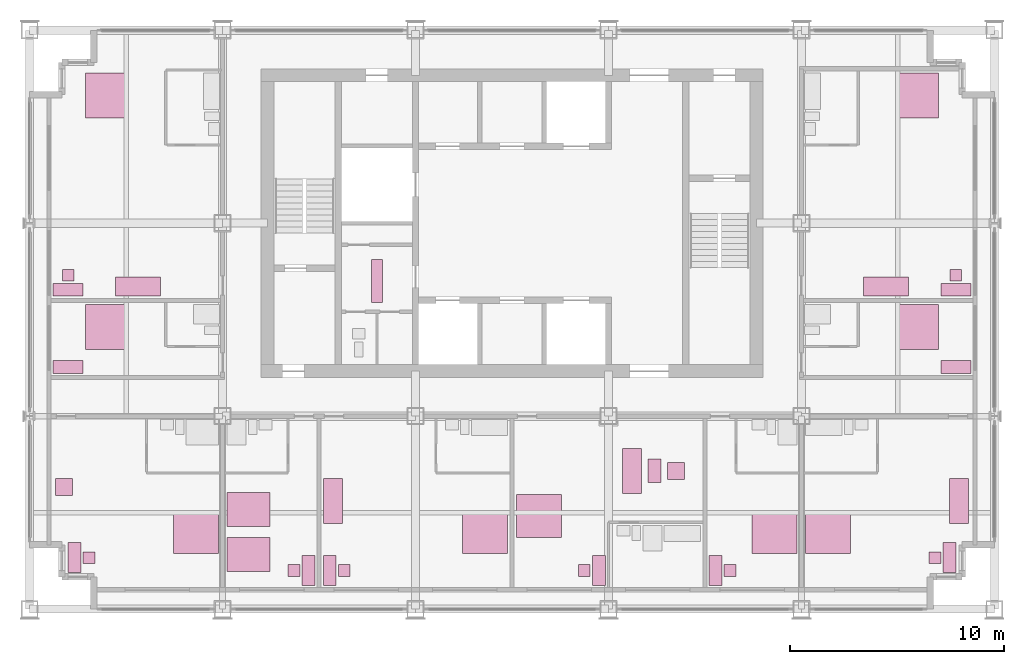
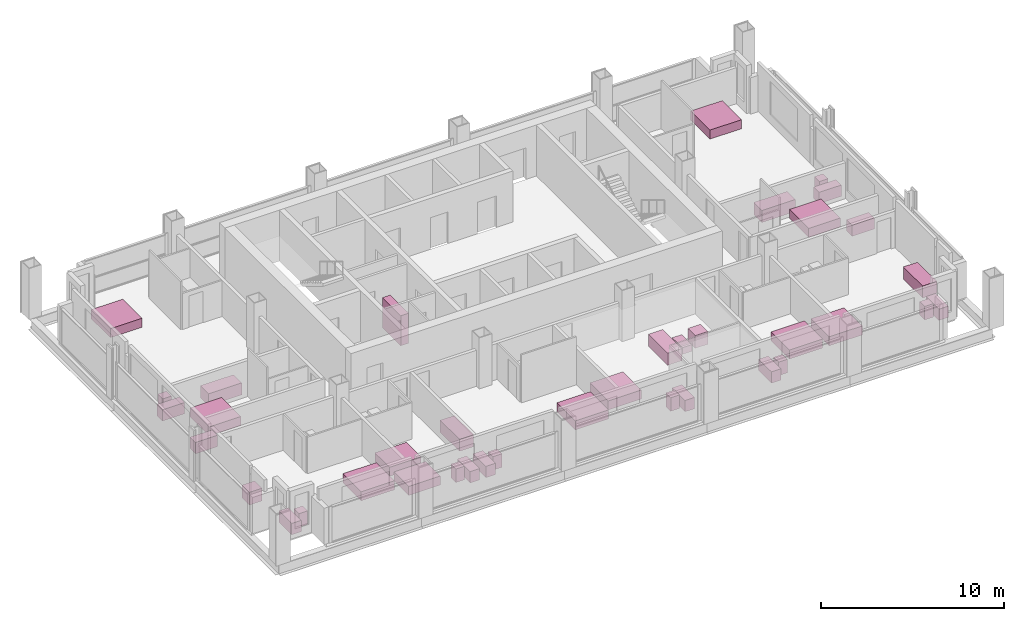
# One storey, part 13 of 13: 38 furniture elements.
"""IFC4 building model written with IfcOpenShell, lengths in metres."""

from ifc_helpers import new_model, si_unit, direction, frame, origin, origin_2d, place, context, subcontext, project, spatial, rectangle, extrude, element, save


model = new_model("IFC4")

# Units and contexts
model_context = context("Model", 3, precision=1e-05, world=origin(), true_north=direction((0.0, 1.0)))
body_context = subcontext(model_context, "Body", "Model", "MODEL_VIEW")
ifc_project = project(units=[si_unit("LENGTHUNIT", "METRE"), si_unit("AREAUNIT", "SQUARE_METRE"), si_unit("VOLUMEUNIT", "CUBIC_METRE"), si_unit("PLANEANGLEUNIT", "RADIAN"), si_unit("MASSUNIT", "GRAM", prefix="KILO")], contexts=[model_context])

# Site, building, storey
site_placement = place(None, origin())
site = spatial("IfcSite", under=ifc_project, at=site_placement, CompositionType="ELEMENT")
building_placement = place(site_placement, origin())
building = spatial("IfcBuilding", under=site, at=building_placement, Name="Loomwork Tower", CompositionType="ELEMENT")
storey_placement = place(building_placement, frame((0.0, 0.0, 204.60009765625)))
storey = spatial("IfcBuildingStorey", under=building, at=storey_placement, Name="L56", CompositionType="ELEMENT", Elevation=204.60009765625)

# Furniture
furniture_1_placement = place(storey_placement, frame((7.75, 3.60009765625, -0.000244140625), z_axis=(0.0, 0.0, 1.0), x_axis=(1.0, 0.0, 0.0)))
element("IfcFurniture", 1, at=furniture_1_placement, inside=storey, Name="King bed L56", PredefinedType="BED", context=body_context, shape_type="SweptSolid", body=[
    extrude(rectangle(XDim=2.10009765625, YDim=2.0, at=origin_2d()), origin(), (0.0, 0.0, 1.0), 0.60009765625),
])
furniture_2_placement = place(storey_placement, frame((2.10009765625, 2.39990234375, 0.0), z_axis=(0.0, 0.0, 1.0), x_axis=(1.0, 0.0, 0.0)))
element("IfcFurniture", 2, at=furniture_2_placement, inside=storey, Name="Writing desk L56", PredefinedType="DESK", context=body_context, shape_type="SweptSolid", body=[
    extrude(rectangle(XDim=0.60009765625, YDim=1.39990234375, at=origin_2d()), origin(), (0.0, 0.0, 1.0), 0.75),
])
furniture_3_placement = place(storey_placement, frame((2.77490234375, 2.39990234375, 0.0), z_axis=(0.0, 0.0, 1.0), x_axis=(1.0, 0.0, 0.0)))
element("IfcFurniture", 3, at=furniture_3_placement, inside=storey, Name="Desk chair L56", PredefinedType="CHAIR", context=body_context, shape_type="SweptSolid", body=[
    extrude(rectangle(XDim=0.550048828125, YDim=0.550048828125, at=origin_2d()), origin(), (0.0, 0.0, 1.0), 0.89990234375),
])
furniture_4_placement = place(storey_placement, frame((1.60009765625, 5.699951171875, -0.000244140625), z_axis=(0.0, 0.0, 1.0), x_axis=(1.0, 0.0, 0.0)))
element("IfcFurniture", 4, at=furniture_4_placement, inside=storey, Name="Lounge armchair L56", PredefinedType="CHAIR", context=body_context, shape_type="SweptSolid", body=[
    extrude(rectangle(XDim=0.800048828125, YDim=0.800048828125, at=origin_2d()), origin(), (0.0, 0.0, 1.0), 0.85009765625),
])
for number, where, z_axis, x_axis, name in (
    (5, (10.199951171875, 4.64990234375, -0.000244140625), (0.0, 0.0, 1.0), (1.0, 0.0, 0.0), "Queen bed L56"),
    (6, (10.199951171875, 2.550048828125, -0.000244140625), (0.0, 0.0, 1.0), (1.0, 0.0, 0.0), "Queen bed L56"),
):
    element("IfcFurniture", number, at=place(storey_placement, frame(where, z_axis=z_axis, x_axis=x_axis)), inside=storey, Name=name, PredefinedType="BED", context=body_context, shape_type="SweptSolid", body=[
        extrude(rectangle(XDim=2.0, YDim=1.60009765625, at=origin_2d()), origin(), (0.0, 0.0, 1.0), 0.60009765625),
    ])
furniture_5_placement = place(storey_placement, frame((13.0, 1.800048828125, 0.0), z_axis=(0.0, 0.0, 1.0), x_axis=(1.0, 0.0, 0.0)))
element("IfcFurniture", 7, at=furniture_5_placement, inside=storey, Name="Writing desk L56", PredefinedType="DESK", context=body_context, shape_type="SweptSolid", body=[
    extrude(rectangle(XDim=0.60009765625, YDim=1.39990234375, at=origin_2d()), origin(), (0.0, 0.0, 1.0), 0.75),
])
furniture_6_placement = place(storey_placement, frame((12.324951171875, 1.800048828125, 0.0), z_axis=(0.0, 0.0, 1.0), x_axis=(1.0, 0.0, 0.0)))
element("IfcFurniture", 8, at=furniture_6_placement, inside=storey, Name="Desk chair L56", PredefinedType="CHAIR", context=body_context, shape_type="SweptSolid", body=[
    extrude(rectangle(XDim=0.550048828125, YDim=0.550048828125, at=origin_2d()), origin(), (0.0, 0.0, 1.0), 0.89990234375),
])
furniture_7_placement = place(storey_placement, frame((21.25, 3.60009765625, -0.000244140625), z_axis=(0.0, 0.0, 1.0), x_axis=(1.0, 0.0, 0.0)))
element("IfcFurniture", 9, at=furniture_7_placement, inside=storey, Name="King bed L56", PredefinedType="BED", context=body_context, shape_type="SweptSolid", body=[
    extrude(rectangle(XDim=2.10009765625, YDim=2.0, at=origin_2d()), origin(), (0.0, 0.0, 1.0), 0.60009765625),
])
furniture_8_placement = place(storey_placement, frame((14.0, 1.800048828125, 0.0), z_axis=(0.0, 0.0, 1.0), x_axis=(1.0, 0.0, 0.0)))
element("IfcFurniture", 10, at=furniture_8_placement, inside=storey, Name="Writing desk L56", PredefinedType="DESK", context=body_context, shape_type="SweptSolid", body=[
    extrude(rectangle(XDim=0.60009765625, YDim=1.39990234375, at=origin_2d()), origin(), (0.0, 0.0, 1.0), 0.75),
])
furniture_9_placement = place(storey_placement, frame((14.675048828125, 1.800048828125, 0.0), z_axis=(0.0, 0.0, 1.0), x_axis=(1.0, 0.0, 0.0)))
element("IfcFurniture", 11, at=furniture_9_placement, inside=storey, Name="Desk chair L56", PredefinedType="CHAIR", context=body_context, shape_type="SweptSolid", body=[
    extrude(rectangle(XDim=0.550048828125, YDim=0.550048828125, at=origin_2d()), origin(), (0.0, 0.0, 1.0), 0.89990234375),
])
furniture_10_placement = place(storey_placement, frame((14.14990234375, 5.050048828125, 0.0), z_axis=(0.0, 0.0, 1.0), x_axis=(1.0, 0.0, 0.0)))
element("IfcFurniture", 12, at=furniture_10_placement, inside=storey, Name="Sofa L56", PredefinedType="SOFA", context=body_context, shape_type="SweptSolid", body=[
    extrude(rectangle(XDim=0.89990234375, YDim=2.10009765625, at=origin_2d()), origin(), (0.0, 0.0, 1.0), 0.800048828125),
])
furniture_11_placement = place(storey_placement, frame((23.75, 4.35009765625, -0.000244140625), z_axis=(0.0, 0.0, 1.0), x_axis=(1.0, 0.0, 0.0)))
element("IfcFurniture", 13, at=furniture_11_placement, inside=storey, Name="King bed L56", PredefinedType="BED", context=body_context, shape_type="SweptSolid", body=[
    extrude(rectangle(XDim=2.10009765625, YDim=2.0, at=origin_2d()), origin(), (0.0, 0.0, 1.0), 0.60009765625),
])
furniture_12_placement = place(storey_placement, frame((26.550048828125, 1.800048828125, 0.0), z_axis=(0.0, 0.0, 1.0), x_axis=(1.0, 0.0, 0.0)))
element("IfcFurniture", 14, at=furniture_12_placement, inside=storey, Name="Writing desk L56", PredefinedType="DESK", context=body_context, shape_type="SweptSolid", body=[
    extrude(rectangle(XDim=0.60009765625, YDim=1.39990234375, at=origin_2d()), origin(), (0.0, 0.0, 1.0), 0.75),
])
furniture_13_placement = place(storey_placement, frame((25.875, 1.800048828125, 0.0), z_axis=(0.0, 0.0, 1.0), x_axis=(1.0, 0.0, 0.0)))
element("IfcFurniture", 15, at=furniture_13_placement, inside=storey, Name="Desk chair L56", PredefinedType="CHAIR", context=body_context, shape_type="SweptSolid", body=[
    extrude(rectangle(XDim=0.550048828125, YDim=0.550048828125, at=origin_2d()), origin(), (0.0, 0.0, 1.0), 0.89990234375),
])
furniture_14_placement = place(storey_placement, frame((28.10009765625, 6.449951171875, 0.0), z_axis=(0.0, 0.0, 1.0), x_axis=(1.0, 0.0, 0.0)))
element("IfcFurniture", 16, at=furniture_14_placement, inside=storey, Name="Sofa L56", PredefinedType="SOFA", context=body_context, shape_type="SweptSolid", body=[
    extrude(rectangle(XDim=0.89990234375, YDim=2.10009765625, at=origin_2d()), origin(), (0.0, 0.0, 1.0), 0.800048828125),
])
furniture_15_placement = place(storey_placement, frame((29.14990234375, 6.449951171875, 0.0), z_axis=(0.0, 0.0, 1.0), x_axis=(1.0, 0.0, 0.0)))
element("IfcFurniture", 17, at=furniture_15_placement, inside=storey, Name="Coffee table L56", PredefinedType="TABLE", context=body_context, shape_type="SweptSolid", body=[
    extrude(rectangle(XDim=0.60009765625, YDim=1.10009765625, at=origin_2d()), origin(), (0.0, 0.0, 1.0), 0.449951171875),
])
furniture_16_placement = place(storey_placement, frame((30.14990234375, 6.449951171875, -0.000244140625), z_axis=(0.0, 0.0, 1.0), x_axis=(1.0, 0.0, 0.0)))
element("IfcFurniture", 18, at=furniture_16_placement, inside=storey, Name="Lounge armchair L56", PredefinedType="CHAIR", context=body_context, shape_type="SweptSolid", body=[
    extrude(rectangle(XDim=0.800048828125, YDim=0.800048828125, at=origin_2d()), origin(), (0.0, 0.0, 1.0), 0.85009765625),
])
furniture_17_placement = place(storey_placement, frame((34.75, 3.60009765625, -0.000244140625), z_axis=(0.0, 0.0, 1.0), x_axis=(1.0, 0.0, 0.0)))
element("IfcFurniture", 19, at=furniture_17_placement, inside=storey, Name="King bed L56", PredefinedType="BED", context=body_context, shape_type="SweptSolid", body=[
    extrude(rectangle(XDim=2.10009765625, YDim=2.0, at=origin_2d()), origin(), (0.0, 0.0, 1.0), 0.60009765625),
])
furniture_18_placement = place(storey_placement, frame((32.0, 1.800048828125, 0.0), z_axis=(0.0, 0.0, 1.0), x_axis=(1.0, 0.0, 0.0)))
element("IfcFurniture", 20, at=furniture_18_placement, inside=storey, Name="Writing desk L56", PredefinedType="DESK", context=body_context, shape_type="SweptSolid", body=[
    extrude(rectangle(XDim=0.60009765625, YDim=1.39990234375, at=origin_2d()), origin(), (0.0, 0.0, 1.0), 0.75),
])
furniture_19_placement = place(storey_placement, frame((32.675048828125, 1.800048828125, 0.0), z_axis=(0.0, 0.0, 1.0), x_axis=(1.0, 0.0, 0.0)))
element("IfcFurniture", 21, at=furniture_19_placement, inside=storey, Name="Desk chair L56", PredefinedType="CHAIR", context=body_context, shape_type="SweptSolid", body=[
    extrude(rectangle(XDim=0.550048828125, YDim=0.550048828125, at=origin_2d()), origin(), (0.0, 0.0, 1.0), 0.89990234375),
])
furniture_20_placement = place(storey_placement, frame((37.25, 3.60009765625, -0.000244140625), z_axis=(0.0, 0.0, 1.0), x_axis=(1.0, 0.0, 0.0)))
element("IfcFurniture", 22, at=furniture_20_placement, inside=storey, Name="King bed L56", PredefinedType="BED", context=body_context, shape_type="SweptSolid", body=[
    extrude(rectangle(XDim=2.10009765625, YDim=2.0, at=origin_2d()), origin(), (0.0, 0.0, 1.0), 0.60009765625),
])
furniture_21_placement = place(storey_placement, frame((42.89990234375, 2.39990234375, 0.0), z_axis=(0.0, 0.0, 1.0), x_axis=(1.0, 0.0, 0.0)))
element("IfcFurniture", 23, at=furniture_21_placement, inside=storey, Name="Writing desk L56", PredefinedType="DESK", context=body_context, shape_type="SweptSolid", body=[
    extrude(rectangle(XDim=0.60009765625, YDim=1.39990234375, at=origin_2d()), origin(), (0.0, 0.0, 1.0), 0.75),
])
furniture_22_placement = place(storey_placement, frame((42.22509765625, 2.39990234375, 0.0), z_axis=(0.0, 0.0, 1.0), x_axis=(1.0, 0.0, 0.0)))
element("IfcFurniture", 24, at=furniture_22_placement, inside=storey, Name="Desk chair L56", PredefinedType="CHAIR", context=body_context, shape_type="SweptSolid", body=[
    extrude(rectangle(XDim=0.550048828125, YDim=0.550048828125, at=origin_2d()), origin(), (0.0, 0.0, 1.0), 0.89990234375),
])
furniture_23_placement = place(storey_placement, frame((43.35009765625, 5.050048828125, 0.0), z_axis=(0.0, 0.0, 1.0), x_axis=(1.0, 0.0, 0.0)))
element("IfcFurniture", 25, at=furniture_23_placement, inside=storey, Name="Sofa L56", PredefinedType="SOFA", context=body_context, shape_type="SweptSolid", body=[
    extrude(rectangle(XDim=0.89990234375, YDim=2.10009765625, at=origin_2d()), origin(), (0.0, 0.0, 1.0), 0.800048828125),
])
furniture_24_placement = place(storey_placement, frame((3.60009765625, 13.14990234375, -0.000244140625), z_axis=(0.0, 0.0, 1.0), x_axis=(1.0, 0.0, 0.0)))
element("IfcFurniture", 26, at=furniture_24_placement, inside=storey, Name="King bed L56", PredefinedType="BED", context=body_context, shape_type="SweptSolid", body=[
    extrude(rectangle(XDim=2.0, YDim=2.10009765625, at=origin_2d()), origin(), (0.0, 0.0, 1.0), 0.60009765625),
])
furniture_25_placement = place(storey_placement, frame((1.800048828125, 11.300048828125, 0.0), z_axis=(0.0, 0.0, 1.0), x_axis=(1.0, 0.0, 0.0)))
element("IfcFurniture", 27, at=furniture_25_placement, inside=storey, Name="Writing desk L56", PredefinedType="DESK", context=body_context, shape_type="SweptSolid", body=[
    extrude(rectangle(XDim=1.39990234375, YDim=0.60009765625, at=origin_2d()), origin(), (0.0, 0.0, 1.0), 0.75),
])
furniture_26_placement = place(storey_placement, frame((3.60009765625, 23.949951171875, -0.000244140625), z_axis=(0.0, 0.0, 1.0), x_axis=(1.0, 0.0, 0.0)))
element("IfcFurniture", 28, at=furniture_26_placement, inside=storey, Name="King bed L56", PredefinedType="BED", context=body_context, shape_type="SweptSolid", body=[
    extrude(rectangle(XDim=2.0, YDim=2.10009765625, at=origin_2d()), origin(), (0.0, 0.0, 1.0), 0.60009765625),
])
furniture_27_placement = place(storey_placement, frame((1.800048828125, 14.89990234375, 0.0), z_axis=(0.0, 0.0, 1.0), x_axis=(1.0, 0.0, 0.0)))
element("IfcFurniture", 29, at=furniture_27_placement, inside=storey, Name="Writing desk L56", PredefinedType="DESK", context=body_context, shape_type="SweptSolid", body=[
    extrude(rectangle(XDim=1.39990234375, YDim=0.60009765625, at=origin_2d()), origin(), (0.0, 0.0, 1.0), 0.75),
])
furniture_28_placement = place(storey_placement, frame((1.800048828125, 15.574951171875, 0.0), z_axis=(0.0, 0.0, 1.0), x_axis=(1.0, 0.0, 0.0)))
element("IfcFurniture", 30, at=furniture_28_placement, inside=storey, Name="Desk chair L56", PredefinedType="CHAIR", context=body_context, shape_type="SweptSolid", body=[
    extrude(rectangle(XDim=0.550048828125, YDim=0.550048828125, at=origin_2d()), origin(), (0.0, 0.0, 1.0), 0.89990234375),
])
furniture_29_placement = place(storey_placement, frame((5.050048828125, 15.050048828125, 0.0), z_axis=(0.0, 0.0, 1.0), x_axis=(1.0, 0.0, 0.0)))
element("IfcFurniture", 31, at=furniture_29_placement, inside=storey, Name="Sofa L56", PredefinedType="SOFA", context=body_context, shape_type="SweptSolid", body=[
    extrude(rectangle(XDim=2.10009765625, YDim=0.89990234375, at=origin_2d()), origin(), (0.0, 0.0, 1.0), 0.800048828125),
])
furniture_30_placement = place(storey_placement, frame((41.39990234375, 13.14990234375, -0.000244140625), z_axis=(0.0, 0.0, 1.0), x_axis=(1.0, 0.0, 0.0)))
element("IfcFurniture", 32, at=furniture_30_placement, inside=storey, Name="King bed L56", PredefinedType="BED", context=body_context, shape_type="SweptSolid", body=[
    extrude(rectangle(XDim=2.0, YDim=2.10009765625, at=origin_2d()), origin(), (0.0, 0.0, 1.0), 0.60009765625),
])
furniture_31_placement = place(storey_placement, frame((43.199951171875, 11.300048828125, 0.0), z_axis=(0.0, 0.0, 1.0), x_axis=(1.0, 0.0, 0.0)))
element("IfcFurniture", 33, at=furniture_31_placement, inside=storey, Name="Writing desk L56", PredefinedType="DESK", context=body_context, shape_type="SweptSolid", body=[
    extrude(rectangle(XDim=1.39990234375, YDim=0.60009765625, at=origin_2d()), origin(), (0.0, 0.0, 1.0), 0.75),
])
furniture_32_placement = place(storey_placement, frame((41.39990234375, 23.949951171875, -0.000244140625), z_axis=(0.0, 0.0, 1.0), x_axis=(1.0, 0.0, 0.0)))
element("IfcFurniture", 34, at=furniture_32_placement, inside=storey, Name="King bed L56", PredefinedType="BED", context=body_context, shape_type="SweptSolid", body=[
    extrude(rectangle(XDim=2.0, YDim=2.10009765625, at=origin_2d()), origin(), (0.0, 0.0, 1.0), 0.60009765625),
])
furniture_33_placement = place(storey_placement, frame((43.199951171875, 14.89990234375, 0.0), z_axis=(0.0, 0.0, 1.0), x_axis=(1.0, 0.0, 0.0)))
element("IfcFurniture", 35, at=furniture_33_placement, inside=storey, Name="Writing desk L56", PredefinedType="DESK", context=body_context, shape_type="SweptSolid", body=[
    extrude(rectangle(XDim=1.39990234375, YDim=0.60009765625, at=origin_2d()), origin(), (0.0, 0.0, 1.0), 0.75),
])
furniture_34_placement = place(storey_placement, frame((43.199951171875, 15.574951171875, 0.0), z_axis=(0.0, 0.0, 1.0), x_axis=(1.0, 0.0, 0.0)))
element("IfcFurniture", 36, at=furniture_34_placement, inside=storey, Name="Desk chair L56", PredefinedType="CHAIR", context=body_context, shape_type="SweptSolid", body=[
    extrude(rectangle(XDim=0.550048828125, YDim=0.550048828125, at=origin_2d()), origin(), (0.0, 0.0, 1.0), 0.89990234375),
])
furniture_35_placement = place(storey_placement, frame((39.949951171875, 15.050048828125, 0.0), z_axis=(0.0, 0.0, 1.0), x_axis=(1.0, 0.0, 0.0)))
element("IfcFurniture", 37, at=furniture_35_placement, inside=storey, Name="Sofa L56", PredefinedType="SOFA", context=body_context, shape_type="SweptSolid", body=[
    extrude(rectangle(XDim=2.10009765625, YDim=0.89990234375, at=origin_2d()), origin(), (0.0, 0.0, 1.0), 0.800048828125),
])
furniture_36_placement = place(storey_placement, frame((16.199951171875, 15.300048828125, 0.0), z_axis=(0.0, 0.0, 1.0), x_axis=(1.0, 0.0, 0.0)))
element("IfcFurniture", 38, at=furniture_36_placement, inside=storey, Name="Linen shelving L56", PredefinedType="SHELF", context=body_context, shape_type="SweptSolid", body=[
    extrude(rectangle(XDim=0.5, YDim=2.0, at=origin_2d()), origin(), (0.0, 0.0, 1.0), 2.0),
])

save(model, "model.ifc")
